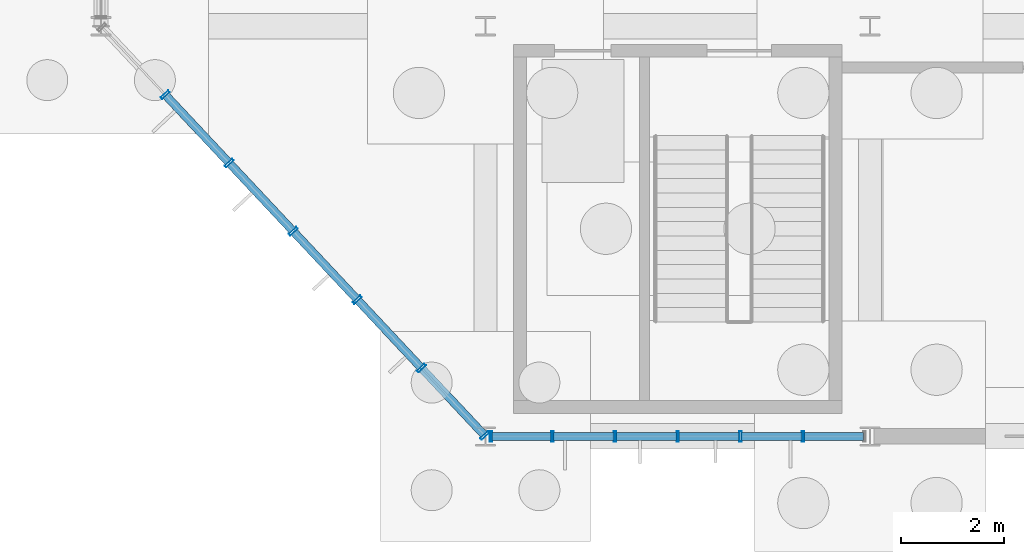
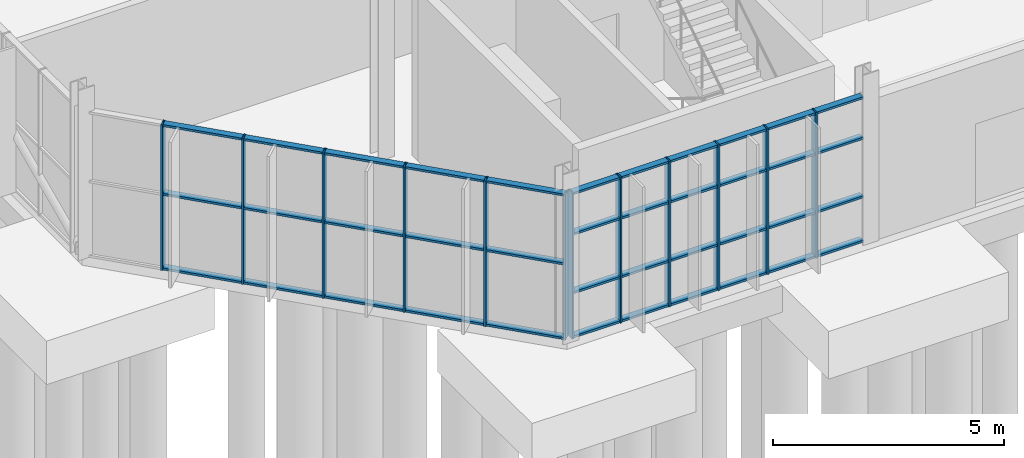
# One storey, part 27 of 136: 51 members, 2 elements without a shape of their own.
"""IFC4 building model written with IfcOpenShell, lengths in metres."""

from ifc_helpers import new_model, si_unit, direction, frame, origin, origin_2d, place, context, subcontext, project, spatial, hollow_rectangle, extrude, material, layer, layer_set, material_profile, profile_set, type_object, element, aggregate, save


model = new_model("IFC4")

# Units and contexts
model_context = context("Model", 3, precision=1e-05, world=origin(), true_north=direction((0.0, 1.0)))
body_context = subcontext(model_context, "Body", "Model", "MODEL_VIEW")
ifc_project = project(units=[si_unit("LENGTHUNIT", "METRE"), si_unit("AREAUNIT", "SQUARE_METRE"), si_unit("VOLUMEUNIT", "CUBIC_METRE"), si_unit("PLANEANGLEUNIT", "RADIAN"), si_unit("MASSUNIT", "GRAM", prefix="KILO")], contexts=[model_context])

# Site, building, storey
site_placement = place(None, origin())
site = spatial("IfcSite", under=ifc_project, at=site_placement, CompositionType="ELEMENT")
building_placement = place(site_placement, origin())
building = spatial("IfcBuilding", under=site, at=building_placement, Name="Solvenia Promenade Tram Depot", CompositionType="ELEMENT")
storey_placement = place(building_placement, origin())
storey = spatial("IfcBuildingStorey", under=building, at=storey_placement, Name="L00", CompositionType="ELEMENT", Elevation=0.0)

# Curtain wall, members
ifc_material = material(Name="Anodized aluminium AW-6063 T6", Category="aluminium")
ifc_layer_1 = layer(ifc_material, 0.179931640625, Name="Anodized aluminium AW-6063 T6", Category="aluminium")
ifc_layer_set_1 = layer_set([ifc_layer_1], Name="Anodized aluminium AW-6063 T6")
curtain_wall_type_1 = type_object("IfcCurtainWallType", Name="CW-Prom-1800", PredefinedType="NOTDEFINED", material=ifc_layer_set_1)
curtain_wall_1_placement = place(storey_placement, origin())
curtain_wall_1 = element("IfcCurtainWall", 1, at=curtain_wall_1_placement, inside=storey, type_object=curtain_wall_type_1, Name="L00 West Park Faceted Prow Curtain Wall", PredefinedType="NOTDEFINED")
ifc_material_profile_1 = material_profile(ifc_material, hollow_rectangle(XDim=0.199951171875, YDim=0.048095703125, WallThickness=0.00390625, at=origin_2d()), Name="ALU-M3", Category="aluminium")
ifc_profile_set_1 = profile_set([ifc_material_profile_1], Name="Anodized aluminium AW-6063 T6")
member_type_1 = type_object("IfcMemberType", Name="CWM-Mullion-3", PredefinedType="MULLION", material=ifc_profile_set_1)
member_1_placement = place(storey_placement, frame((1.25, 6.666748046875, 0.0), z_axis=(0.0, 0.0, 1.0), x_axis=(0.72953720414, 0.683941128881, 0.0)))
member_1 = element("IfcMember", 2, at=member_1_placement, type_object=member_type_1, Name="CW-9 mullion 2", PredefinedType="MULLION", context=body_context, shape_type="SweptSolid", body=[
    extrude(hollow_rectangle(XDim=0.199951171875, YDim=0.048095703125, WallThickness=0.00390625, at=origin_2d()), origin(), (0.0, 0.0, 1.0), 3.85009765625),
])
member_2_placement = place(storey_placement, frame((2.5, 5.333251953125, 0.0), z_axis=(0.0, 0.0, 1.0), x_axis=(0.72953720414, 0.683941128881, 0.0)))
member_2 = element("IfcMember", 3, at=member_2_placement, type_object=member_type_1, Name="CW-9 mullion 3", PredefinedType="MULLION", context=body_context, shape_type="SweptSolid", body=[
    extrude(hollow_rectangle(XDim=0.199951171875, YDim=0.048095703125, WallThickness=0.00390625, at=origin_2d()), origin(), (0.0, 0.0, 1.0), 3.85009765625),
])
member_3_placement = place(storey_placement, frame((3.75, 4.0, 0.0), z_axis=(0.0, 0.0, 1.0), x_axis=(0.72953720414, 0.683941128881, 0.0)))
member_3 = element("IfcMember", 4, at=member_3_placement, type_object=member_type_1, Name="CW-9 mullion 4", PredefinedType="MULLION", context=body_context, shape_type="SweptSolid", body=[
    extrude(hollow_rectangle(XDim=0.199951171875, YDim=0.048095703125, WallThickness=0.00390625, at=origin_2d()), origin(), (0.0, 0.0, 1.0), 3.85009765625),
])
member_4_placement = place(storey_placement, frame((5.0, 2.666748046875, 0.0), z_axis=(0.0, 0.0, 1.0), x_axis=(0.72953720414, 0.683941128881, 0.0)))
member_4 = element("IfcMember", 5, at=member_4_placement, type_object=member_type_1, Name="CW-9 mullion 5", PredefinedType="MULLION", context=body_context, shape_type="SweptSolid", body=[
    extrude(hollow_rectangle(XDim=0.199951171875, YDim=0.048095703125, WallThickness=0.00390625, at=origin_2d()), origin(), (0.0, 0.0, 1.0), 3.85009765625),
])
member_5_placement = place(storey_placement, frame((6.25, 1.333251953125, 0.0), z_axis=(0.0, 0.0, 1.0), x_axis=(0.72953720414, 0.683941128881, 0.0)))
member_5 = element("IfcMember", 6, at=member_5_placement, type_object=member_type_1, Name="CW-9 mullion 6", PredefinedType="MULLION", context=body_context, shape_type="SweptSolid", body=[
    extrude(hollow_rectangle(XDim=0.199951171875, YDim=0.048095703125, WallThickness=0.00390625, at=origin_2d()), origin(), (0.0, 0.0, 1.0), 3.85009765625),
])
member_6_placement = place(storey_placement, frame((7.483642578125, 0.017578125, 0.0), z_axis=(0.0, 0.0, 1.0), x_axis=(0.72953720414, 0.683941128881, 0.0)))
member_6 = element("IfcMember", 7, at=member_6_placement, type_object=member_type_1, Name="CW-9 mullion 7", PredefinedType="MULLION", context=body_context, shape_type="SweptSolid", body=[
    extrude(hollow_rectangle(XDim=0.199951171875, YDim=0.048095703125, WallThickness=0.00390625, at=origin_2d()), origin(), (0.0, 0.0, 1.0), 3.85009765625),
])

ifc_layer_2 = layer(ifc_material, 0.179931640625, Name="Anodized aluminium AW-6063 T6", Category="aluminium")
ifc_layer_set_2 = layer_set([ifc_layer_2], Name="Anodized aluminium AW-6063 T6")
curtain_wall_type_2 = type_object("IfcCurtainWallType", Name="CW-Solar-1250", PredefinedType="NOTDEFINED", material=ifc_layer_set_2)
curtain_wall_2_placement = place(storey_placement, origin())
curtain_wall_2 = element("IfcCurtainWall", 8, at=curtain_wall_2_placement, inside=storey, type_object=curtain_wall_type_2, Name="Curtain Wall CW-V4S-L00-01", PredefinedType="NOTDEFINED")
member_7_placement = place(storey_placement, frame((7.60400390625, 0.0, 0.0), z_axis=(0.0, 0.0, 1.0), x_axis=(0.0, 1.0, 0.0)))
member_7 = element("IfcMember", 9, at=member_7_placement, type_object=member_type_1, Name="CW-6 mullion 1", PredefinedType="MULLION", context=body_context, shape_type="SweptSolid", body=[
    extrude(hollow_rectangle(XDim=0.199951171875, YDim=0.048095703125, WallThickness=0.00390625, at=origin_2d()), origin(), (0.0, 0.0, 1.0), 3.85009765625),
])
member_8_placement = place(storey_placement, frame((8.80322265625, 0.0, 0.0), z_axis=(0.0, 0.0, 1.0), x_axis=(0.0, 1.0, 0.0)))
member_8 = element("IfcMember", 10, at=member_8_placement, type_object=member_type_1, Name="CW-6 mullion 2", PredefinedType="MULLION", context=body_context, shape_type="SweptSolid", body=[
    extrude(hollow_rectangle(XDim=0.199951171875, YDim=0.048095703125, WallThickness=0.00390625, at=origin_2d()), origin(), (0.0, 0.0, 1.0), 3.85009765625),
])
member_9_placement = place(storey_placement, frame((10.026611328125, 0.0, 0.0), z_axis=(0.0, 0.0, 1.0), x_axis=(0.0, 1.0, 0.0)))
member_9 = element("IfcMember", 11, at=member_9_placement, type_object=member_type_1, Name="CW-6 mullion 3", PredefinedType="MULLION", context=body_context, shape_type="SweptSolid", body=[
    extrude(hollow_rectangle(XDim=0.199951171875, YDim=0.048095703125, WallThickness=0.00390625, at=origin_2d()), origin(), (0.0, 0.0, 1.0), 3.85009765625),
])
member_10_placement = place(storey_placement, frame((11.25, 0.0, 0.0), z_axis=(0.0, 0.0, 1.0), x_axis=(0.0, 1.0, 0.0)))
member_10 = element("IfcMember", 12, at=member_10_placement, type_object=member_type_1, Name="CW-6 mullion 4", PredefinedType="MULLION", context=body_context, shape_type="SweptSolid", body=[
    extrude(hollow_rectangle(XDim=0.199951171875, YDim=0.048095703125, WallThickness=0.00390625, at=origin_2d()), origin(), (0.0, 0.0, 1.0), 3.85009765625),
])
member_11_placement = place(storey_placement, frame((12.473388671875, 0.0, 0.0), z_axis=(0.0, 0.0, 1.0), x_axis=(0.0, 1.0, 0.0)))
member_11 = element("IfcMember", 13, at=member_11_placement, type_object=member_type_1, Name="CW-6 mullion 5", PredefinedType="MULLION", context=body_context, shape_type="SweptSolid", body=[
    extrude(hollow_rectangle(XDim=0.199951171875, YDim=0.048095703125, WallThickness=0.00390625, at=origin_2d()), origin(), (0.0, 0.0, 1.0), 3.85009765625),
])
member_12_placement = place(storey_placement, frame((13.69677734375, 0.0, 0.0), z_axis=(0.0, 0.0, 1.0), x_axis=(0.0, 1.0, 0.0)))
member_12 = element("IfcMember", 14, at=member_12_placement, type_object=member_type_1, Name="CW-6 mullion 6", PredefinedType="MULLION", context=body_context, shape_type="SweptSolid", body=[
    extrude(hollow_rectangle(XDim=0.199951171875, YDim=0.048095703125, WallThickness=0.00390625, at=origin_2d()), origin(), (0.0, 0.0, 1.0), 3.85009765625),
])

# Member
ifc_material_profile_2 = material_profile(ifc_material, hollow_rectangle(XDim=0.159912109375, YDim=0.05810546875, WallThickness=0.00390625, at=origin_2d()), Name="ALU-T3", Category="aluminium")
ifc_profile_set_2 = profile_set([ifc_material_profile_2], Name="Anodized aluminium AW-6063 T6")
member_type_2 = type_object("IfcMemberType", Name="CWT-Transom-3", PredefinedType="USERDEFINED", material=ifc_profile_set_2)
member_13_placement = place(storey_placement, frame((1.266357421875, 6.649169921875, 0.029052734375), z_axis=(0.683968506921, -0.729511536263, 0.0), x_axis=(0.729511536263, 0.683968506921, 0.0)))
member_13 = element("IfcMember", 15, at=member_13_placement, type_object=member_type_2, Name="CW-9 transom 2.1", ObjectType="TRANSOM", PredefinedType="USERDEFINED", context=body_context, shape_type="SweptSolid", body=[
    extrude(hollow_rectangle(XDim=0.159912109375, YDim=0.05810546875, WallThickness=0.00390625, at=origin_2d()), origin(), (0.0, 0.0, 1.0), 1.77978515625),
])

member_14_placement = place(storey_placement, frame((1.266357421875, 6.649169921875, 2.0), z_axis=(0.683968506921, -0.729511536263, 0.0), x_axis=(0.729511536263, 0.683968506921, 0.0)))
member_14 = element("IfcMember", 16, at=member_14_placement, type_object=member_type_2, Name="CW-9 transom 2.2", ObjectType="TRANSOM", PredefinedType="USERDEFINED", context=body_context, shape_type="SweptSolid", body=[
    extrude(hollow_rectangle(XDim=0.159912109375, YDim=0.05810546875, WallThickness=0.00390625, at=origin_2d()), origin(), (0.0, 0.0, 1.0), 1.77978515625),
])

member_15_placement = place(storey_placement, frame((1.266357421875, 6.649169921875, 3.821044921875), z_axis=(0.683968506921, -0.729511536263, 0.0), x_axis=(0.729511536263, 0.683968506921, 0.0)))
member_15 = element("IfcMember", 17, at=member_15_placement, type_object=member_type_2, Name="CW-9 transom 2.3", ObjectType="TRANSOM", PredefinedType="USERDEFINED", context=body_context, shape_type="SweptSolid", body=[
    extrude(hollow_rectangle(XDim=0.159912109375, YDim=0.05810546875, WallThickness=0.00390625, at=origin_2d()), origin(), (0.0, 0.0, 1.0), 1.77978515625),
])

member_16_placement = place(storey_placement, frame((2.516357421875, 5.31591796875, 0.029052734375), z_axis=(0.683968506921, -0.729511536263, 0.0), x_axis=(0.729511536263, 0.683968506921, 0.0)))
member_16 = element("IfcMember", 18, at=member_16_placement, type_object=member_type_2, Name="CW-9 transom 3.1", ObjectType="TRANSOM", PredefinedType="USERDEFINED", context=body_context, shape_type="SweptSolid", body=[
    extrude(hollow_rectangle(XDim=0.159912109375, YDim=0.05810546875, WallThickness=0.00390625, at=origin_2d()), origin(), (0.0, 0.0, 1.0), 1.77978515625),
])

member_17_placement = place(storey_placement, frame((2.516357421875, 5.31591796875, 2.0), z_axis=(0.683968506921, -0.729511536263, 0.0), x_axis=(0.729511536263, 0.683968506921, 0.0)))
member_17 = element("IfcMember", 19, at=member_17_placement, type_object=member_type_2, Name="CW-9 transom 3.2", ObjectType="TRANSOM", PredefinedType="USERDEFINED", context=body_context, shape_type="SweptSolid", body=[
    extrude(hollow_rectangle(XDim=0.159912109375, YDim=0.05810546875, WallThickness=0.00390625, at=origin_2d()), origin(), (0.0, 0.0, 1.0), 1.77978515625),
])

member_18_placement = place(storey_placement, frame((2.516357421875, 5.31591796875, 3.821044921875), z_axis=(0.683968506921, -0.729511536263, 0.0), x_axis=(0.729511536263, 0.683968506921, 0.0)))
member_18 = element("IfcMember", 20, at=member_18_placement, type_object=member_type_2, Name="CW-9 transom 3.3", ObjectType="TRANSOM", PredefinedType="USERDEFINED", context=body_context, shape_type="SweptSolid", body=[
    extrude(hollow_rectangle(XDim=0.159912109375, YDim=0.05810546875, WallThickness=0.00390625, at=origin_2d()), origin(), (0.0, 0.0, 1.0), 1.77978515625),
])

member_19_placement = place(storey_placement, frame((3.766357421875, 3.982421875, 0.029052734375), z_axis=(0.683968506921, -0.729511536263, 0.0), x_axis=(0.729511536263, 0.683968506921, 0.0)))
member_19 = element("IfcMember", 21, at=member_19_placement, type_object=member_type_2, Name="CW-9 transom 4.1", ObjectType="TRANSOM", PredefinedType="USERDEFINED", context=body_context, shape_type="SweptSolid", body=[
    extrude(hollow_rectangle(XDim=0.159912109375, YDim=0.05810546875, WallThickness=0.00390625, at=origin_2d()), origin(), (0.0, 0.0, 1.0), 1.77978515625),
])

member_20_placement = place(storey_placement, frame((3.766357421875, 3.982421875, 2.0), z_axis=(0.683968506921, -0.729511536263, 0.0), x_axis=(0.729511536263, 0.683968506921, 0.0)))
member_20 = element("IfcMember", 22, at=member_20_placement, type_object=member_type_2, Name="CW-9 transom 4.2", ObjectType="TRANSOM", PredefinedType="USERDEFINED", context=body_context, shape_type="SweptSolid", body=[
    extrude(hollow_rectangle(XDim=0.159912109375, YDim=0.05810546875, WallThickness=0.00390625, at=origin_2d()), origin(), (0.0, 0.0, 1.0), 1.77978515625),
])

member_21_placement = place(storey_placement, frame((3.766357421875, 3.982421875, 3.821044921875), z_axis=(0.683968506921, -0.729511536263, 0.0), x_axis=(0.729511536263, 0.683968506921, 0.0)))
member_21 = element("IfcMember", 23, at=member_21_placement, type_object=member_type_2, Name="CW-9 transom 4.3", ObjectType="TRANSOM", PredefinedType="USERDEFINED", context=body_context, shape_type="SweptSolid", body=[
    extrude(hollow_rectangle(XDim=0.159912109375, YDim=0.05810546875, WallThickness=0.00390625, at=origin_2d()), origin(), (0.0, 0.0, 1.0), 1.77978515625),
])

member_22_placement = place(storey_placement, frame((5.016357421875, 2.649169921875, 0.029052734375), z_axis=(0.683968506921, -0.729511536263, 0.0), x_axis=(0.729511536263, 0.683968506921, 0.0)))
member_22 = element("IfcMember", 24, at=member_22_placement, type_object=member_type_2, Name="CW-9 transom 5.1", ObjectType="TRANSOM", PredefinedType="USERDEFINED", context=body_context, shape_type="SweptSolid", body=[
    extrude(hollow_rectangle(XDim=0.159912109375, YDim=0.05810546875, WallThickness=0.00390625, at=origin_2d()), origin(), (0.0, 0.0, 1.0), 1.77978515625),
])

member_23_placement = place(storey_placement, frame((5.016357421875, 2.649169921875, 2.0), z_axis=(0.683968506921, -0.729511536263, 0.0), x_axis=(0.729511536263, 0.683968506921, 0.0)))
member_23 = element("IfcMember", 25, at=member_23_placement, type_object=member_type_2, Name="CW-9 transom 5.2", ObjectType="TRANSOM", PredefinedType="USERDEFINED", context=body_context, shape_type="SweptSolid", body=[
    extrude(hollow_rectangle(XDim=0.159912109375, YDim=0.05810546875, WallThickness=0.00390625, at=origin_2d()), origin(), (0.0, 0.0, 1.0), 1.77978515625),
])

member_24_placement = place(storey_placement, frame((5.016357421875, 2.649169921875, 3.821044921875), z_axis=(0.683968506921, -0.729511536263, 0.0), x_axis=(0.729511536263, 0.683968506921, 0.0)))
member_24 = element("IfcMember", 26, at=member_24_placement, type_object=member_type_2, Name="CW-9 transom 5.3", ObjectType="TRANSOM", PredefinedType="USERDEFINED", context=body_context, shape_type="SweptSolid", body=[
    extrude(hollow_rectangle(XDim=0.159912109375, YDim=0.05810546875, WallThickness=0.00390625, at=origin_2d()), origin(), (0.0, 0.0, 1.0), 1.77978515625),
])

member_25_placement = place(storey_placement, frame((6.266357421875, 1.31591796875, 0.029052734375), z_axis=(0.683936503845, -0.729541540084, 0.0), x_axis=(0.729541540084, 0.683936503845, 0.0)))
member_25 = element("IfcMember", 27, at=member_25_placement, type_object=member_type_2, Name="CW-9 transom 6.1", ObjectType="TRANSOM", PredefinedType="USERDEFINED", context=body_context, shape_type="SweptSolid", body=[
    extrude(hollow_rectangle(XDim=0.159912109375, YDim=0.05810546875, WallThickness=0.00390625, at=origin_2d()), origin(), (0.0, 0.0, 1.0), 1.755859375),
])

member_26_placement = place(storey_placement, frame((6.266357421875, 1.31591796875, 2.0), z_axis=(0.683936503845, -0.729541540084, 0.0), x_axis=(0.729541540084, 0.683936503845, 0.0)))
member_26 = element("IfcMember", 28, at=member_26_placement, type_object=member_type_2, Name="CW-9 transom 6.2", ObjectType="TRANSOM", PredefinedType="USERDEFINED", context=body_context, shape_type="SweptSolid", body=[
    extrude(hollow_rectangle(XDim=0.159912109375, YDim=0.05810546875, WallThickness=0.00390625, at=origin_2d()), origin(), (0.0, 0.0, 1.0), 1.755859375),
])

member_27_placement = place(storey_placement, frame((6.266357421875, 1.31591796875, 3.821044921875), z_axis=(0.683936503845, -0.729541540084, 0.0), x_axis=(0.729541540084, 0.683936503845, 0.0)))
member_27 = element("IfcMember", 29, at=member_27_placement, type_object=member_type_2, Name="CW-9 transom 6.3", ObjectType="TRANSOM", PredefinedType="USERDEFINED", context=body_context, shape_type="SweptSolid", body=[
    extrude(hollow_rectangle(XDim=0.159912109375, YDim=0.05810546875, WallThickness=0.00390625, at=origin_2d()), origin(), (0.0, 0.0, 1.0), 1.755859375),
])

aggregate(curtain_wall_1, [member_1, member_2, member_3, member_4, member_5, member_6, member_13, member_14, member_15, member_16, member_17, member_18, member_19, member_20, member_21, member_22, member_23, member_24, member_25, member_26, member_27])

member_28_placement = place(storey_placement, frame((7.6279296875, 0.0, 0.029052734375), z_axis=(1.0, 0.0, 0.0), x_axis=(0.0, 1.0, 0.0)))
member_28 = element("IfcMember", 30, at=member_28_placement, type_object=member_type_2, Name="CW-6 transom 1.1", ObjectType="TRANSOM", PredefinedType="USERDEFINED", context=body_context, shape_type="SweptSolid", body=[
    extrude(hollow_rectangle(XDim=0.159912109375, YDim=0.05810546875, WallThickness=0.00390625, at=origin_2d()), origin(), (0.0, 0.0, 1.0), 1.1513671875),
])

member_29_placement = place(storey_placement, frame((7.6279296875, 0.0, 1.199951171875), z_axis=(1.0, 0.0, 0.0), x_axis=(0.0, 1.0, 0.0)))
member_29 = element("IfcMember", 31, at=member_29_placement, type_object=member_type_2, Name="CW-6 transom 1.2", ObjectType="TRANSOM", PredefinedType="USERDEFINED", context=body_context, shape_type="SweptSolid", body=[
    extrude(hollow_rectangle(XDim=0.159912109375, YDim=0.05810546875, WallThickness=0.00390625, at=origin_2d()), origin(), (0.0, 0.0, 1.0), 1.1513671875),
])

member_30_placement = place(storey_placement, frame((7.6279296875, 0.0, 2.75), z_axis=(1.0, 0.0, 0.0), x_axis=(0.0, 1.0, 0.0)))
member_30 = element("IfcMember", 32, at=member_30_placement, type_object=member_type_2, Name="CW-6 transom 1.3", ObjectType="TRANSOM", PredefinedType="USERDEFINED", context=body_context, shape_type="SweptSolid", body=[
    extrude(hollow_rectangle(XDim=0.159912109375, YDim=0.05810546875, WallThickness=0.00390625, at=origin_2d()), origin(), (0.0, 0.0, 1.0), 1.1513671875),
])

member_31_placement = place(storey_placement, frame((7.6279296875, 0.0, 3.821044921875), z_axis=(1.0, 0.0, 0.0), x_axis=(0.0, 1.0, 0.0)))
member_31 = element("IfcMember", 33, at=member_31_placement, type_object=member_type_2, Name="CW-6 transom 1.4", ObjectType="TRANSOM", PredefinedType="USERDEFINED", context=body_context, shape_type="SweptSolid", body=[
    extrude(hollow_rectangle(XDim=0.159912109375, YDim=0.05810546875, WallThickness=0.00390625, at=origin_2d()), origin(), (0.0, 0.0, 1.0), 1.1513671875),
])

member_32_placement = place(storey_placement, frame((8.827392578125, 0.0, 0.029052734375), z_axis=(1.0, 0.0, 0.0), x_axis=(0.0, 1.0, 0.0)))
member_32 = element("IfcMember", 34, at=member_32_placement, type_object=member_type_2, Name="CW-6 transom 2.1", ObjectType="TRANSOM", PredefinedType="USERDEFINED", context=body_context, shape_type="SweptSolid", body=[
    extrude(hollow_rectangle(XDim=0.159912109375, YDim=0.05810546875, WallThickness=0.00390625, at=origin_2d()), origin(), (0.0, 0.0, 1.0), 1.17529296875),
])

member_33_placement = place(storey_placement, frame((8.827392578125, 0.0, 1.199951171875), z_axis=(1.0, 0.0, 0.0), x_axis=(0.0, 1.0, 0.0)))
member_33 = element("IfcMember", 35, at=member_33_placement, type_object=member_type_2, Name="CW-6 transom 2.2", ObjectType="TRANSOM", PredefinedType="USERDEFINED", context=body_context, shape_type="SweptSolid", body=[
    extrude(hollow_rectangle(XDim=0.159912109375, YDim=0.05810546875, WallThickness=0.00390625, at=origin_2d()), origin(), (0.0, 0.0, 1.0), 1.17529296875),
])

member_34_placement = place(storey_placement, frame((8.827392578125, 0.0, 2.75), z_axis=(1.0, 0.0, 0.0), x_axis=(0.0, 1.0, 0.0)))
member_34 = element("IfcMember", 36, at=member_34_placement, type_object=member_type_2, Name="CW-6 transom 2.3", ObjectType="TRANSOM", PredefinedType="USERDEFINED", context=body_context, shape_type="SweptSolid", body=[
    extrude(hollow_rectangle(XDim=0.159912109375, YDim=0.05810546875, WallThickness=0.00390625, at=origin_2d()), origin(), (0.0, 0.0, 1.0), 1.17529296875),
])

member_35_placement = place(storey_placement, frame((8.827392578125, 0.0, 3.821044921875), z_axis=(1.0, 0.0, 0.0), x_axis=(0.0, 1.0, 0.0)))
member_35 = element("IfcMember", 37, at=member_35_placement, type_object=member_type_2, Name="CW-6 transom 2.4", ObjectType="TRANSOM", PredefinedType="USERDEFINED", context=body_context, shape_type="SweptSolid", body=[
    extrude(hollow_rectangle(XDim=0.159912109375, YDim=0.05810546875, WallThickness=0.00390625, at=origin_2d()), origin(), (0.0, 0.0, 1.0), 1.17529296875),
])

member_36_placement = place(storey_placement, frame((10.05078125, 0.0, 0.029052734375), z_axis=(1.0, 0.0, 0.0), x_axis=(0.0, 1.0, 0.0)))
member_36 = element("IfcMember", 38, at=member_36_placement, type_object=member_type_2, Name="CW-6 transom 3.1", ObjectType="TRANSOM", PredefinedType="USERDEFINED", context=body_context, shape_type="SweptSolid", body=[
    extrude(hollow_rectangle(XDim=0.159912109375, YDim=0.05810546875, WallThickness=0.00390625, at=origin_2d()), origin(), (0.0, 0.0, 1.0), 1.17529296875),
])

member_37_placement = place(storey_placement, frame((10.05078125, 0.0, 1.199951171875), z_axis=(1.0, 0.0, 0.0), x_axis=(0.0, 1.0, 0.0)))
member_37 = element("IfcMember", 39, at=member_37_placement, type_object=member_type_2, Name="CW-6 transom 3.2", ObjectType="TRANSOM", PredefinedType="USERDEFINED", context=body_context, shape_type="SweptSolid", body=[
    extrude(hollow_rectangle(XDim=0.159912109375, YDim=0.05810546875, WallThickness=0.00390625, at=origin_2d()), origin(), (0.0, 0.0, 1.0), 1.17529296875),
])

member_38_placement = place(storey_placement, frame((10.05078125, 0.0, 2.75), z_axis=(1.0, 0.0, 0.0), x_axis=(0.0, 1.0, 0.0)))
member_38 = element("IfcMember", 40, at=member_38_placement, type_object=member_type_2, Name="CW-6 transom 3.3", ObjectType="TRANSOM", PredefinedType="USERDEFINED", context=body_context, shape_type="SweptSolid", body=[
    extrude(hollow_rectangle(XDim=0.159912109375, YDim=0.05810546875, WallThickness=0.00390625, at=origin_2d()), origin(), (0.0, 0.0, 1.0), 1.17529296875),
])

member_39_placement = place(storey_placement, frame((10.05078125, 0.0, 3.821044921875), z_axis=(1.0, 0.0, 0.0), x_axis=(0.0, 1.0, 0.0)))
member_39 = element("IfcMember", 41, at=member_39_placement, type_object=member_type_2, Name="CW-6 transom 3.4", ObjectType="TRANSOM", PredefinedType="USERDEFINED", context=body_context, shape_type="SweptSolid", body=[
    extrude(hollow_rectangle(XDim=0.159912109375, YDim=0.05810546875, WallThickness=0.00390625, at=origin_2d()), origin(), (0.0, 0.0, 1.0), 1.17529296875),
])

member_40_placement = place(storey_placement, frame((11.27392578125, 0.0, 0.029052734375), z_axis=(1.0, 0.0, 0.0), x_axis=(0.0, 1.0, 0.0)))
member_40 = element("IfcMember", 42, at=member_40_placement, type_object=member_type_2, Name="CW-6 transom 4.1", ObjectType="TRANSOM", PredefinedType="USERDEFINED", context=body_context, shape_type="SweptSolid", body=[
    extrude(hollow_rectangle(XDim=0.159912109375, YDim=0.05810546875, WallThickness=0.00390625, at=origin_2d()), origin(), (0.0, 0.0, 1.0), 1.17529296875),
])

member_41_placement = place(storey_placement, frame((11.27392578125, 0.0, 1.199951171875), z_axis=(1.0, 0.0, 0.0), x_axis=(0.0, 1.0, 0.0)))
member_41 = element("IfcMember", 43, at=member_41_placement, type_object=member_type_2, Name="CW-6 transom 4.2", ObjectType="TRANSOM", PredefinedType="USERDEFINED", context=body_context, shape_type="SweptSolid", body=[
    extrude(hollow_rectangle(XDim=0.159912109375, YDim=0.05810546875, WallThickness=0.00390625, at=origin_2d()), origin(), (0.0, 0.0, 1.0), 1.17529296875),
])

member_42_placement = place(storey_placement, frame((11.27392578125, 0.0, 2.75), z_axis=(1.0, 0.0, 0.0), x_axis=(0.0, 1.0, 0.0)))
member_42 = element("IfcMember", 44, at=member_42_placement, type_object=member_type_2, Name="CW-6 transom 4.3", ObjectType="TRANSOM", PredefinedType="USERDEFINED", context=body_context, shape_type="SweptSolid", body=[
    extrude(hollow_rectangle(XDim=0.159912109375, YDim=0.05810546875, WallThickness=0.00390625, at=origin_2d()), origin(), (0.0, 0.0, 1.0), 1.17529296875),
])

member_43_placement = place(storey_placement, frame((11.27392578125, 0.0, 3.821044921875), z_axis=(1.0, 0.0, 0.0), x_axis=(0.0, 1.0, 0.0)))
member_43 = element("IfcMember", 45, at=member_43_placement, type_object=member_type_2, Name="CW-6 transom 4.4", ObjectType="TRANSOM", PredefinedType="USERDEFINED", context=body_context, shape_type="SweptSolid", body=[
    extrude(hollow_rectangle(XDim=0.159912109375, YDim=0.05810546875, WallThickness=0.00390625, at=origin_2d()), origin(), (0.0, 0.0, 1.0), 1.17529296875),
])

member_44_placement = place(storey_placement, frame((12.497314453125, 0.0, 0.029052734375), z_axis=(1.0, 0.0, 0.0), x_axis=(0.0, 1.0, 0.0)))
member_44 = element("IfcMember", 46, at=member_44_placement, type_object=member_type_2, Name="CW-6 transom 5.1", ObjectType="TRANSOM", PredefinedType="USERDEFINED", context=body_context, shape_type="SweptSolid", body=[
    extrude(hollow_rectangle(XDim=0.159912109375, YDim=0.05810546875, WallThickness=0.00390625, at=origin_2d()), origin(), (0.0, 0.0, 1.0), 1.17529296875),
])

member_45_placement = place(storey_placement, frame((12.497314453125, 0.0, 1.199951171875), z_axis=(1.0, 0.0, 0.0), x_axis=(0.0, 1.0, 0.0)))
member_45 = element("IfcMember", 47, at=member_45_placement, type_object=member_type_2, Name="CW-6 transom 5.2", ObjectType="TRANSOM", PredefinedType="USERDEFINED", context=body_context, shape_type="SweptSolid", body=[
    extrude(hollow_rectangle(XDim=0.159912109375, YDim=0.05810546875, WallThickness=0.00390625, at=origin_2d()), origin(), (0.0, 0.0, 1.0), 1.17529296875),
])

member_46_placement = place(storey_placement, frame((12.497314453125, 0.0, 2.75), z_axis=(1.0, 0.0, 0.0), x_axis=(0.0, 1.0, 0.0)))
member_46 = element("IfcMember", 48, at=member_46_placement, type_object=member_type_2, Name="CW-6 transom 5.3", ObjectType="TRANSOM", PredefinedType="USERDEFINED", context=body_context, shape_type="SweptSolid", body=[
    extrude(hollow_rectangle(XDim=0.159912109375, YDim=0.05810546875, WallThickness=0.00390625, at=origin_2d()), origin(), (0.0, 0.0, 1.0), 1.17529296875),
])

member_47_placement = place(storey_placement, frame((12.497314453125, 0.0, 3.821044921875), z_axis=(1.0, 0.0, 0.0), x_axis=(0.0, 1.0, 0.0)))
member_47 = element("IfcMember", 49, at=member_47_placement, type_object=member_type_2, Name="CW-6 transom 5.4", ObjectType="TRANSOM", PredefinedType="USERDEFINED", context=body_context, shape_type="SweptSolid", body=[
    extrude(hollow_rectangle(XDim=0.159912109375, YDim=0.05810546875, WallThickness=0.00390625, at=origin_2d()), origin(), (0.0, 0.0, 1.0), 1.17529296875),
])

member_48_placement = place(storey_placement, frame((13.720703125, 0.0, 0.029052734375), z_axis=(1.0, 0.0, 0.0), x_axis=(0.0, 1.0, 0.0)))
member_48 = element("IfcMember", 50, at=member_48_placement, type_object=member_type_2, Name="CW-6 transom 6.1", ObjectType="TRANSOM", PredefinedType="USERDEFINED", context=body_context, shape_type="SweptSolid", body=[
    extrude(hollow_rectangle(XDim=0.159912109375, YDim=0.05810546875, WallThickness=0.00390625, at=origin_2d()), origin(), (0.0, 0.0, 1.0), 1.1513671875),
])

member_49_placement = place(storey_placement, frame((13.720703125, 0.0, 1.199951171875), z_axis=(1.0, 0.0, 0.0), x_axis=(0.0, 1.0, 0.0)))
member_49 = element("IfcMember", 51, at=member_49_placement, type_object=member_type_2, Name="CW-6 transom 6.2", ObjectType="TRANSOM", PredefinedType="USERDEFINED", context=body_context, shape_type="SweptSolid", body=[
    extrude(hollow_rectangle(XDim=0.159912109375, YDim=0.05810546875, WallThickness=0.00390625, at=origin_2d()), origin(), (0.0, 0.0, 1.0), 1.1513671875),
])

member_50_placement = place(storey_placement, frame((13.720703125, 0.0, 2.75), z_axis=(1.0, 0.0, 0.0), x_axis=(0.0, 1.0, 0.0)))
member_50 = element("IfcMember", 52, at=member_50_placement, type_object=member_type_2, Name="CW-6 transom 6.3", ObjectType="TRANSOM", PredefinedType="USERDEFINED", context=body_context, shape_type="SweptSolid", body=[
    extrude(hollow_rectangle(XDim=0.159912109375, YDim=0.05810546875, WallThickness=0.00390625, at=origin_2d()), origin(), (0.0, 0.0, 1.0), 1.1513671875),
])

member_51_placement = place(storey_placement, frame((13.720703125, 0.0, 3.821044921875), z_axis=(1.0, 0.0, 0.0), x_axis=(0.0, 1.0, 0.0)))
member_51 = element("IfcMember", 53, at=member_51_placement, type_object=member_type_2, Name="CW-6 transom 6.4", ObjectType="TRANSOM", PredefinedType="USERDEFINED", context=body_context, shape_type="SweptSolid", body=[
    extrude(hollow_rectangle(XDim=0.159912109375, YDim=0.05810546875, WallThickness=0.00390625, at=origin_2d()), origin(), (0.0, 0.0, 1.0), 1.1513671875),
])

aggregate(curtain_wall_2, [member_7, member_8, member_9, member_10, member_11, member_12, member_28, member_29, member_30, member_31, member_32, member_33, member_34, member_35, member_36, member_37, member_38, member_39, member_40, member_41, member_42, member_43, member_44, member_45, member_46, member_47, member_48, member_49, member_50, member_51])

save(model, "model.ifc")
